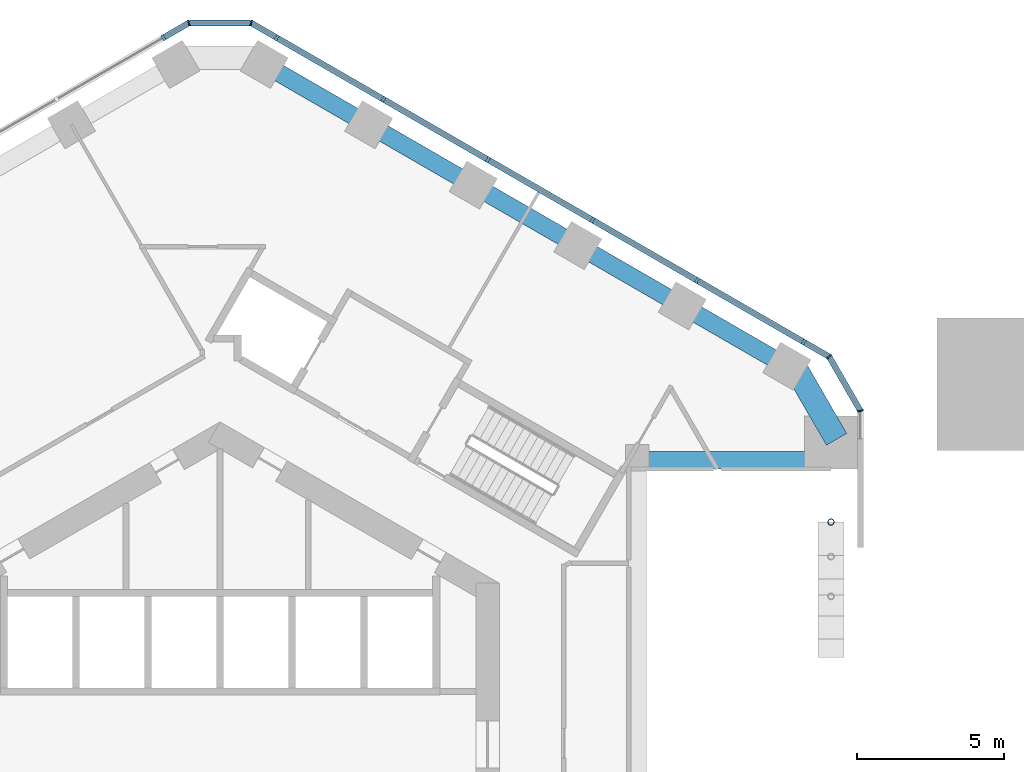
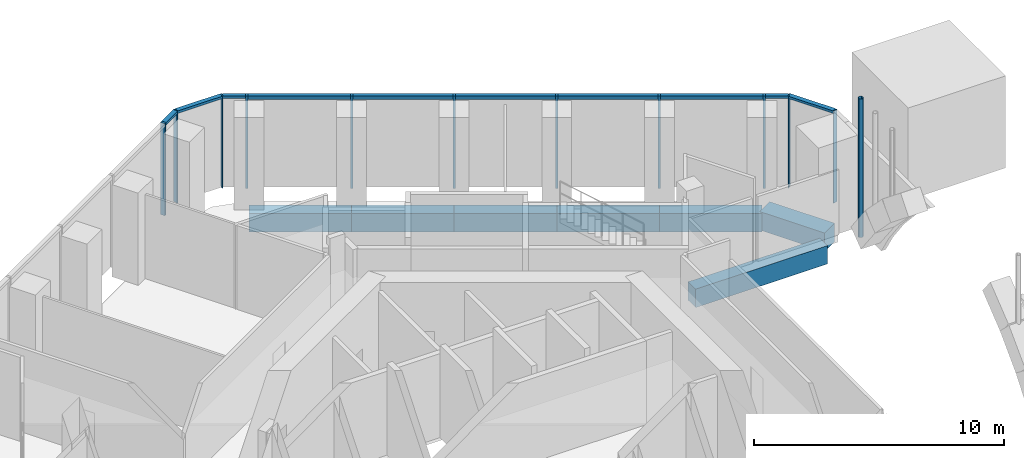
# One storey, part 7 of 14: 18 members, 7 beams, 4 elements without a shape of their own.
"""IFC4 building model written with IfcOpenShell, lengths in metres."""

import ifcopenshell
import ifcopenshell.guid

model = None  # the IFC model being written
_history = None  # IfcOwnerHistory: only IFC2X3 demands one
_inside = {}  # id of a spatial element -> (the spatial element, [elements in it])
_under = {}  # id of a project, library or spatial element -> (it, [spatial elements below it])
_declared = {}  # id of a project -> (the project, [libraries it declares])
_typed = {}  # id of a type object -> (the type object, [elements of that type])
_made_of = {}  # id of a material, layer set ... -> (it, [elements and type objects made of it])


def new_model(schema):
    """Start an empty IFC model of exactly this schema.

    Asked for "IFC4X3", IfcOpenShell would pick the latest addendum, in which some entities
    have other attributes; the version numbers below select the first issue.
    IFC2X3 requires an IfcOwnerHistory on every rooted entity: one is made here for all.
    """
    global model, _history
    if schema == "IFC4X3":
        model = ifcopenshell.file(schema_version=(4, 3, 0, 0))
    else:
        model = ifcopenshell.file(schema=schema)
    _inside.clear()
    _under.clear()
    _declared.clear()
    _typed.clear()
    _made_of.clear()
    _history = None
    if model.schema == "IFC2X3":
        org = make("IfcOrganization", Name="unknown")
        user = make(
            "IfcPersonAndOrganization",
            ThePerson=make("IfcPerson", FamilyName="unknown"),
            TheOrganization=org,
        )
        app = make(
            "IfcApplication",
            ApplicationDeveloper=org,
            Version="unknown",
            ApplicationFullName="unknown",
            ApplicationIdentifier="unknown",
        )
        _history = make(
            "IfcOwnerHistory",
            OwningUser=user,
            OwningApplication=app,
            ChangeAction="ADDED",
            CreationDate=0,
        )
    return model


def make(cls, **values):
    """One entity of the class cls with the attributes given. An attribute that is None is left unset."""
    return model.create_entity(
        cls, **{name: value for name, value in values.items() if value is not None}
    )


def rooted(cls, **values):
    """An entity with a GlobalId (a new one), such as an element, a storey or a relation."""
    return make(cls, GlobalId=ifcopenshell.guid.new(), OwnerHistory=_history, **values)


def si_unit(unit_type, name, prefix=None):
    """IfcSIUnit, for example si_unit("LENGTHUNIT", "METRE", prefix="MILLI")."""
    return make("IfcSIUnit", UnitType=unit_type, Prefix=prefix, Name=name)


def assignment(units):
    """IfcUnitAssignment: the units of a project."""
    return None if units is None else make("IfcUnitAssignment", Units=units)


def point(xyz):
    """IfcCartesianPoint."""
    return None if xyz is None else make("IfcCartesianPoint", Coordinates=xyz)


def direction(xyz):
    """IfcDirection."""
    return None if xyz is None else make("IfcDirection", DirectionRatios=xyz)


def frame(location, z_axis=None, x_axis=None):
    """IfcAxis2Placement3D, a coordinate frame: its origin and axes. An axis left out is left unset."""
    return make(
        "IfcAxis2Placement3D",
        Location=point(location),
        Axis=direction(z_axis),
        RefDirection=direction(x_axis),
    )


def frame_2d(location, x_axis=None):
    """IfcAxis2Placement2D, a coordinate frame in the plane: its origin and x axis."""
    return make(
        "IfcAxis2Placement2D", Location=point(location), RefDirection=direction(x_axis)
    )


def origin():
    """The frame at (0, 0, 0) with its axes left unset."""
    return frame((0.0, 0.0, 0.0))


def origin_2d():
    """The frame at (0, 0) in the plane with its x axis left unset."""
    return frame_2d((0.0, 0.0))


def place(relative_to, where):
    """IfcLocalPlacement: puts the frame where relative to a parent placement (None: the world)."""
    return make(
        "IfcLocalPlacement", PlacementRelTo=relative_to, RelativePlacement=where
    )


def context(
    kind, dimensions, precision=None, world=None, true_north=None, identifier=None
):
    """IfcGeometricRepresentationContext, for example the 3D "Model" context."""
    return make(
        "IfcGeometricRepresentationContext",
        ContextIdentifier=identifier,
        ContextType=kind,
        CoordinateSpaceDimension=dimensions,
        Precision=precision,
        WorldCoordinateSystem=world,
        TrueNorth=true_north,
    )


def subcontext(parent, identifier, kind, view, scale=None):
    """IfcGeometricRepresentationSubContext, for example "Body" below "Model"."""
    return make(
        "IfcGeometricRepresentationSubContext",
        ContextIdentifier=identifier,
        ContextType=kind,
        ParentContext=parent,
        TargetScale=scale,
        TargetView=view,
    )


def project(units=None, contexts=None):
    """IfcProject with its units and contexts."""
    return rooted(
        "IfcProject",
        Name="project",
        RepresentationContexts=contexts,
        UnitsInContext=assignment(units),
    )


def spatial(cls, under=None, at=None, **own):
    """A site, building, storey or space (cls), placed at a placement, below another one or the project."""
    s = rooted(cls, ObjectPlacement=at, **own)
    if under is not None:
        _under.setdefault(under.id(), (under, []))[1].append(s)
    return s


def profile(cls, at=None, kind="AREA", **sizes):
    """A parametric profile (cls). Its sizes go by their IFC names, for example OverallWidth=200.0."""
    return make(cls, ProfileType=kind, Position=at, **sizes)


def rectangle(**sizes):
    """IfcRectangleProfileDef."""
    return profile("IfcRectangleProfileDef", **sizes)


def hollow_circle(**sizes):
    """IfcCircleHollowProfileDef."""
    return profile("IfcCircleHollowProfileDef", **sizes)


def extrude(swept, where, along, depth):
    """IfcExtrudedAreaSolid: the profile swept, set in the frame where, extruded along a direction by depth."""
    return make(
        "IfcExtrudedAreaSolid",
        SweptArea=swept,
        Position=where,
        ExtrudedDirection=direction(along),
        Depth=depth,
    )


def shape(context_of_items, identifier, shape_type, items):
    """IfcShapeRepresentation: the items that make up one representation, for example the "Body"."""
    return make(
        "IfcShapeRepresentation",
        ContextOfItems=context_of_items,
        RepresentationIdentifier=identifier,
        RepresentationType=shape_type,
        Items=items,
    )


def material(Name=None, Category=None):
    """IfcMaterial."""
    return make("IfcMaterial", Name=Name, Category=Category)


def layer(
    of_material, thickness, ventilated=None, Name=None, Category=None, Priority=None
):
    """IfcMaterialLayer: one layer of a wall or slab, of a material (None: an air gap)."""
    return make(
        "IfcMaterialLayer",
        Material=of_material,
        LayerThickness=thickness,
        IsVentilated=ventilated,
        Name=Name,
        Category=Category,
        Priority=Priority,
    )


def layer_set(layers, Name=None):
    """IfcMaterialLayerSet."""
    return make("IfcMaterialLayerSet", MaterialLayers=layers, LayerSetName=Name)


def material_profile(
    of_material, cross_section, Name=None, Category=None, Priority=None
):
    """IfcMaterialProfile: a cross section and its material."""
    return make(
        "IfcMaterialProfile",
        Name=Name,
        Material=of_material,
        Profile=cross_section,
        Priority=Priority,
        Category=Category,
    )


def profile_set(profiles, Name=None, composite=None):
    """IfcMaterialProfileSet."""
    return make(
        "IfcMaterialProfileSet",
        Name=Name,
        MaterialProfiles=profiles,
        CompositeProfile=composite,
    )


def made_of(thing, what):
    """Note that an element or type object is made of a material, layer set ...; save() writes the relation."""
    if what is not None:
        _made_of.setdefault(what.id(), (what, []))[1].append(thing)
    return thing


def type_object(cls, material=None, **own):
    """A type object (cls), such as IfcWallType, which elements share."""
    return made_of(rooted(cls, **own), material)


def element(
    cls,
    number,
    at=None,
    inside=None,
    cuts=None,
    type_object=None,
    material=None,
    context=None,
    identifier="Body",
    shape_type=None,
    held_by="IfcProductDefinitionShape",
    body=None,
    shapes=None,
    **own,
):
    """One element of the class cls, such as IfcWall. Its Tag is "e" and its number.

    at: its placement. inside: the storey or other place that contains it. cuts: it is an
    opening in that element (IfcRelVoidsElement). A single representation is given by context,
    identifier, shape_type and body (its items); several are given by shapes. held_by: the class
    of the entity that holds the representations. save() writes the other relations.
    """
    e = rooted(cls, Tag="e%d" % number, ObjectPlacement=at, **own)
    if body is not None:
        shapes = [shape(context, identifier, shape_type, body)]
    if shapes is not None:
        e.Representation = make(held_by, Representations=shapes)
    if inside is not None:
        _inside.setdefault(inside.id(), (inside, []))[1].append(e)
    if cuts is not None:
        rooted(
            "IfcRelVoidsElement", RelatingBuildingElement=cuts, RelatedOpeningElement=e
        )
    if type_object is not None:
        _typed.setdefault(type_object.id(), (type_object, []))[1].append(e)
    return made_of(e, material)


def aggregate(whole, parts):
    """IfcRelAggregates: a whole, such as a stair, and the parts it consists of."""
    return rooted("IfcRelAggregates", RelatingObject=whole, RelatedObjects=parts)


def save(model, path):
    """Write the relations noted so far, then the file.

    IfcRelAggregates (storeys below a building ...), IfcRelContainedInSpatialStructure (elements
    in a storey), IfcRelDefinesByType, IfcRelAssociatesMaterial and IfcRelDeclares: one each for
    every whole, place, type object, material and project.
    """
    for whole, parts in _under.values():
        aggregate(whole, parts)
    for where, things in _inside.values():
        rooted(
            "IfcRelContainedInSpatialStructure",
            RelatedElements=things,
            RelatingStructure=where,
        )
    for kind, things in _typed.values():
        rooted("IfcRelDefinesByType", RelatedObjects=things, RelatingType=kind)
    for what, things in _made_of.values():
        rooted("IfcRelAssociatesMaterial", RelatedObjects=things, RelatingMaterial=what)
    for by, libraries in _declared.values():
        rooted("IfcRelDeclares", RelatingContext=by, RelatedDefinitions=libraries)
    model.write(path)


model = new_model("IFC4")

# Units and contexts
model_context = context("Model", 3, precision=1e-05, world=origin(), true_north=direction((0.0, 1.0)))
body_context = subcontext(model_context, "Body", "Model", "MODEL_VIEW")
ifc_project = project(units=[si_unit("LENGTHUNIT", "METRE"), si_unit("AREAUNIT", "SQUARE_METRE"), si_unit("VOLUMEUNIT", "CUBIC_METRE"), si_unit("PLANEANGLEUNIT", "RADIAN"), si_unit("MASSUNIT", "GRAM", prefix="KILO")], contexts=[model_context])

# Site, building, storey
site_placement = place(None, origin())
site = spatial("IfcSite", under=ifc_project, at=site_placement, CompositionType="ELEMENT")
building_placement = place(site_placement, origin())
building = spatial("IfcBuilding", under=site, at=building_placement, Name="Ayvan Gate Tower", CompositionType="ELEMENT")
storey_placement = place(building_placement, frame((0.0, 0.0, 11.5)))
storey = spatial("IfcBuildingStorey", under=building, at=storey_placement, Name="L02", CompositionType="ELEMENT", Elevation=11.5)

# Member
ifc_material_1 = material(Name="Steel S460NH", Category="steel")
ifc_material_profile_1 = material_profile(ifc_material_1, hollow_circle(Radius=0.109619140625, WallThickness=0.012451171875, at=origin_2d()), Name="CHS 219.1x12.5")
ifc_profile_set_1 = profile_set([ifc_material_profile_1], Name="Steel S460NH")
member_type_1 = type_object("IfcMemberType", Name="Arch rib hanger CHS 219.1x12.5", PredefinedType="STRUT", material=ifc_profile_set_1)
member_1_placement = place(storey_placement, frame((20.78466796875, 7.564208984375, 0.98095703125), z_axis=(0.0, 0.0, 1.0), x_axis=(1.0, 0.0, 0.0)))
element("IfcMember", 1, at=member_1_placement, inside=storey, type_object=member_type_1, Name="ARH-0-15", PredefinedType="STRUT", context=body_context, shape_type="SweptSolid", body=[
    extrude(hollow_circle(Radius=0.109619140625, WallThickness=0.012451171875, at=origin_2d()), origin(), (0.0, 0.0, 1.0), 6.76904296875),
])

# Beams
ifc_material_2 = material(Name="Concrete C40/50", Category="concrete")
ifc_material_profile_2 = material_profile(ifc_material_2, rectangle(XDim=0.800048828125, YDim=0.89990234375, at=origin_2d()), Name="RC 800x900")
ifc_profile_set_2 = profile_set([ifc_material_profile_2], Name="Concrete C40/50")
beam_type_1 = type_object("IfcBeamType", Name="Corner spandrel beam RC 800x900 C40/50", PredefinedType="BEAM", material=ifc_profile_set_2)
beam_1_placement = place(storey_placement, frame((20.97509765625, 10.3779296875, -0.85009765625), z_axis=(-0.499990139034, 0.866031096941, 0.0), x_axis=(-0.866031096941, -0.499990139034, 0.0)))
element("IfcBeam", 2, at=beam_1_placement, inside=storey, type_object=beam_type_1, Name="SB-L02-6", PredefinedType="BEAM", context=body_context, shape_type="SweptSolid", body=[
    extrude(rectangle(XDim=0.800048828125, YDim=0.89990234375, at=origin_2d()), origin(), (0.0, 0.0, 1.0), 3.0),
])
ifc_material_profile_3 = material_profile(ifc_material_2, rectangle(XDim=0.60009765625, YDim=0.89990234375, at=origin_2d()), Name="RC 600x900")
ifc_profile_set_3 = profile_set([ifc_material_profile_3], Name="Concrete C40/50")
beam_type_2 = type_object("IfcBeamType", Name="Opening edge beam RC 600x900 C40/50", PredefinedType="BEAM", material=ifc_profile_set_3)
beam_2_placement = place(storey_placement, frame((20.28466796875, 9.66796875, -0.85009765625), z_axis=(-1.0, 0.0, 0.0), x_axis=(0.0, -1.0, 0.0)))
element("IfcBeam", 3, at=beam_2_placement, inside=storey, type_object=beam_type_2, Name="OB-L02-0-B", PredefinedType="BEAM", context=body_context, shape_type="SweptSolid", body=[
    extrude(rectangle(XDim=0.60009765625, YDim=0.89990234375, at=origin_2d()), origin(), (0.0, 0.0, 1.0), 6.084716796875),
])
ifc_material_profile_4 = material_profile(ifc_material_2, rectangle(XDim=0.60009765625, YDim=0.89990234375, at=origin_2d()), Name="RC 600x900")
ifc_profile_set_4 = profile_set([ifc_material_profile_4], Name="Concrete C40/50")
beam_type_3 = type_object("IfcBeamType", Name="Spandrel beam RC 600x900 C40/50", PredefinedType="BEAM", material=ifc_profile_set_4)
for number, where, z_axis, x_axis, name in (
    (4, (19.28466796875, 12.865966796875, -0.85009765625), (-0.866010373586, 0.500026032164, 0.0), (-0.500026032164, -0.866010373586, 0.0), "SB-L02-7"),
    (5, (15.727783203125, 14.919677734375, -0.85009765625), (-0.866050971923, 0.499955712069, 0.0), (-0.499955712069, -0.866050971923, 0.0), "SB-L02-8"),
    (6, (12.170654296875, 16.97314453125, -0.85009765625), (-0.866010373586, 0.500026032164, 0.0), (-0.500026032164, -0.866010373586, 0.0), "SB-L02-9"),
    (7, (8.61376953125, 19.02685546875, -0.85009765625), (-0.866036113234, 0.499981450231, 0.0), (-0.499981450231, -0.866036113234, 0.0), "SB-L02-10"),
    (8, (5.056884765625, 21.080322265625, -0.85009765625), (-0.866010373586, 0.500026032164, 0.0), (-0.500026032164, -0.866010373586, 0.0), "SB-L02-11"),
):
    element("IfcBeam", number, at=place(storey_placement, frame(where, z_axis=z_axis, x_axis=x_axis)), inside=storey, type_object=beam_type_3, Name=name, PredefinedType="BEAM", context=body_context, shape_type="SweptSolid", body=[
        extrude(rectangle(XDim=0.60009765625, YDim=0.89990234375, at=origin_2d()), origin(), (0.0, 0.0, 1.0), 4.107177734375),
    ])

# Curtain wall, member
ifc_material_3 = material(Name="Bronze anodised aluminium", Category="aluminium")
ifc_layer_1 = layer(ifc_material_3, 0.199951171875)
ifc_layer_set_1 = layer_set([ifc_layer_1], Name="Bronze anodised aluminium")
curtain_wall_type_1 = type_object("IfcCurtainWallType", Name="Stick curtain wall CW-3", PredefinedType="NOTDEFINED", material=ifc_layer_set_1)
curtain_wall_1_placement = place(storey_placement, origin())
curtain_wall_1 = element("IfcCurtainWall", 9, at=curtain_wall_1_placement, inside=storey, type_object=curtain_wall_type_1, Name="Stick curtain wall CW-3 L02", PredefinedType="NOTDEFINED")
ifc_material_profile_5 = material_profile(ifc_material_3, rectangle(XDim=0.199951171875, YDim=0.10009765625, at=origin_2d()), Name="Stick curtain wall CW-3 mullion 200 x 100")
ifc_profile_set_5 = profile_set([ifc_material_profile_5], Name="Bronze anodised aluminium")
member_type_2 = type_object("IfcMemberType", Name="Stick curtain wall CW-3 mullion 200 x 100", PredefinedType="MULLION", material=ifc_profile_set_5)
member_2_placement = place(storey_placement, frame((-1.92919921875, 24.040771484375, 0.0), z_axis=(0.0, 0.0, 1.0), x_axis=(-0.5, 0.866025403784, 0.0)))
member_2 = element("IfcMember", 10, at=member_2_placement, type_object=member_type_2, Name="CW-3 mullion 1", PredefinedType="MULLION", context=body_context, shape_type="SweptSolid", body=[
    extrude(rectangle(XDim=0.199951171875, YDim=0.10009765625, at=origin_2d()), origin(), (0.0, 0.0, 1.0), 4.5),
])
aggregate(curtain_wall_1, [member_2])

# Curtain wall, members
curtain_wall_2_placement = place(storey_placement, origin())
curtain_wall_2 = element("IfcCurtainWall", 11, at=curtain_wall_2_placement, inside=storey, type_object=curtain_wall_type_1, Name="Stick curtain wall CW-3 L02", PredefinedType="NOTDEFINED")
member_3_placement = place(storey_placement, frame((19.855224609375, 13.691162109375, 0.0), z_axis=(0.0, 0.0, 1.0), x_axis=(0.5, 0.866025403784, 0.0)))
member_3 = element("IfcMember", 12, at=member_3_placement, type_object=member_type_2, Name="CW-3 mullion 1", PredefinedType="MULLION", context=body_context, shape_type="SweptSolid", body=[
    extrude(rectangle(XDim=0.199951171875, YDim=0.10009765625, at=origin_2d()), origin(), (0.0, 0.0, 1.0), 4.5),
])
member_4_placement = place(storey_placement, frame((16.2275390625, 15.78564453125, 0.0), z_axis=(0.0, 0.0, 1.0), x_axis=(0.5, 0.866025403784, 0.0)))
member_4 = element("IfcMember", 13, at=member_4_placement, type_object=member_type_2, Name="CW-3 mullion 2", PredefinedType="MULLION", context=body_context, shape_type="SweptSolid", body=[
    extrude(rectangle(XDim=0.199951171875, YDim=0.10009765625, at=origin_2d()), origin(), (0.0, 0.0, 1.0), 4.5),
])
member_5_placement = place(storey_placement, frame((12.670654296875, 17.839111328125, 0.0), z_axis=(0.0, 0.0, 1.0), x_axis=(0.5, 0.866025403784, 0.0)))
member_5 = element("IfcMember", 14, at=member_5_placement, type_object=member_type_2, Name="CW-3 mullion 3", PredefinedType="MULLION", context=body_context, shape_type="SweptSolid", body=[
    extrude(rectangle(XDim=0.199951171875, YDim=0.10009765625, at=origin_2d()), origin(), (0.0, 0.0, 1.0), 4.5),
])
member_6_placement = place(storey_placement, frame((9.114013671875, 19.892822265625, 0.0), z_axis=(0.0, 0.0, 1.0), x_axis=(0.5, 0.866025403784, 0.0)))
member_6 = element("IfcMember", 15, at=member_6_placement, type_object=member_type_2, Name="CW-3 mullion 4", PredefinedType="MULLION", context=body_context, shape_type="SweptSolid", body=[
    extrude(rectangle(XDim=0.199951171875, YDim=0.10009765625, at=origin_2d()), origin(), (0.0, 0.0, 1.0), 4.5),
])
member_7_placement = place(storey_placement, frame((5.55712890625, 21.9462890625, 0.0), z_axis=(0.0, 0.0, 1.0), x_axis=(0.5, 0.866025403784, 0.0)))
member_7 = element("IfcMember", 16, at=member_7_placement, type_object=member_type_2, Name="CW-3 mullion 5", PredefinedType="MULLION", context=body_context, shape_type="SweptSolid", body=[
    extrude(rectangle(XDim=0.199951171875, YDim=0.10009765625, at=origin_2d()), origin(), (0.0, 0.0, 1.0), 4.5),
])
member_8_placement = place(storey_placement, frame((1.92919921875, 24.040771484375, 0.0), z_axis=(0.0, 0.0, 1.0), x_axis=(0.5, 0.866025403784, 0.0)))
member_8 = element("IfcMember", 17, at=member_8_placement, type_object=member_type_2, Name="CW-3 mullion 6", PredefinedType="MULLION", context=body_context, shape_type="SweptSolid", body=[
    extrude(rectangle(XDim=0.199951171875, YDim=0.10009765625, at=origin_2d()), origin(), (0.0, 0.0, 1.0), 4.5),
])
ifc_material_profile_6 = material_profile(ifc_material_3, rectangle(XDim=0.199951171875, YDim=0.159912109375, at=origin_2d()), Name="Stick curtain wall CW-3 transom 200 x 160")
ifc_profile_set_6 = profile_set([ifc_material_profile_6], Name="Bronze anodised aluminium")
member_type_3 = type_object("IfcMemberType", Name="Stick curtain wall CW-3 transom 200 x 160", PredefinedType="USERDEFINED", material=ifc_profile_set_6)
member_9_placement = place(storey_placement, frame((19.855224609375, 13.691162109375, 4.419921875), z_axis=(-0.866025115303, 0.500000499665, 0.0), x_axis=(-0.500000499665, -0.866025115303, 0.0)))
member_9 = element("IfcMember", 18, at=member_9_placement, type_object=member_type_3, Name="CW-3 transom 1", ObjectType="TRANSOM", PredefinedType="USERDEFINED", context=body_context, shape_type="SweptSolid", body=[
    extrude(rectangle(XDim=0.199951171875, YDim=0.159912109375, at=origin_2d()), origin(), (0.0, 0.0, 1.0), 20.69921875),
])
aggregate(curtain_wall_2, [member_3, member_4, member_5, member_6, member_7, member_8, member_9])

ifc_layer_2 = layer(ifc_material_3, 0.199951171875)
ifc_layer_set_2 = layer_set([ifc_layer_2], Name="Bronze anodised aluminium")
curtain_wall_type_2 = type_object("IfcCurtainWallType", Name="Stick curtain wall CW-6", PredefinedType="NOTDEFINED", material=ifc_layer_set_2)
curtain_wall_3_placement = place(storey_placement, origin())
curtain_wall_3 = element("IfcCurtainWall", 19, at=curtain_wall_3_placement, inside=storey, type_object=curtain_wall_type_2, Name="Stick curtain wall CW-6 L02", PredefinedType="NOTDEFINED")
ifc_material_profile_7 = material_profile(ifc_material_3, rectangle(XDim=0.199951171875, YDim=0.050048828125, at=origin_2d()), Name="Stick curtain wall CW-6 mullion 200 x 50")
ifc_profile_set_7 = profile_set([ifc_material_profile_7], Name="Bronze anodised aluminium")
member_type_4 = type_object("IfcMemberType", Name="Stick curtain wall CW-6 mullion 200 x 50", PredefinedType="MULLION", material=ifc_profile_set_7)
member_10_placement = place(storey_placement, frame((21.78466796875, 11.349609375, 0.0), z_axis=(0.0, 0.0, 1.0), x_axis=(0.965925826289, 0.258819045103, 0.0)))
member_10 = element("IfcMember", 20, at=member_10_placement, type_object=member_type_4, Name="CW-6 mullion 2", PredefinedType="MULLION", context=body_context, shape_type="SweptSolid", body=[
    extrude(rectangle(XDim=0.199951171875, YDim=0.050048828125, at=origin_2d()), origin(), (0.0, 0.0, 1.0), 4.5),
])
member_11_placement = place(storey_placement, frame((20.721435546875, 13.191162109375, 0.0), z_axis=(0.0, 0.0, 1.0), x_axis=(0.707106781187, 0.707106781187, 0.0)))
member_11 = element("IfcMember", 21, at=member_11_placement, type_object=member_type_4, Name="CW-6 mullion 3", PredefinedType="MULLION", context=body_context, shape_type="SweptSolid", body=[
    extrude(rectangle(XDim=0.199951171875, YDim=0.050048828125, at=origin_2d()), origin(), (0.0, 0.0, 1.0), 4.5),
])

curtain_wall_4_placement = place(storey_placement, origin())
curtain_wall_4 = element("IfcCurtainWall", 22, at=curtain_wall_4_placement, inside=storey, type_object=curtain_wall_type_2, Name="Stick curtain wall CW-6 L02", PredefinedType="NOTDEFINED")
member_12_placement = place(storey_placement, frame((1.063232421875, 24.540771484375, 0.0), z_axis=(0.0, 0.0, 1.0), x_axis=(0.258819045103, 0.965925826289, 0.0)))
member_12 = element("IfcMember", 23, at=member_12_placement, type_object=member_type_4, Name="CW-6 mullion 2", PredefinedType="MULLION", context=body_context, shape_type="SweptSolid", body=[
    extrude(rectangle(XDim=0.199951171875, YDim=0.050048828125, at=origin_2d()), origin(), (0.0, 0.0, 1.0), 4.5),
])
member_13_placement = place(storey_placement, frame((-1.063232421875, 24.540771484375, 0.0), z_axis=(0.0, 0.0, 1.0), x_axis=(-0.258819045103, 0.965925826289, 0.0)))
member_13 = element("IfcMember", 24, at=member_13_placement, type_object=member_type_4, Name="CW-6 mullion 3", PredefinedType="MULLION", context=body_context, shape_type="SweptSolid", body=[
    extrude(rectangle(XDim=0.199951171875, YDim=0.050048828125, at=origin_2d()), origin(), (0.0, 0.0, 1.0), 4.5),
])

# Member
ifc_material_profile_8 = material_profile(ifc_material_3, rectangle(XDim=0.199951171875, YDim=0.1201171875, at=origin_2d()), Name="Stick curtain wall CW-6 transom 200 x 120")
ifc_profile_set_8 = profile_set([ifc_material_profile_8], Name="Bronze anodised aluminium")
member_type_5 = type_object("IfcMemberType", Name="Stick curtain wall CW-6 transom 200 x 120", PredefinedType="USERDEFINED", material=ifc_profile_set_8)
member_14_placement = place(storey_placement, frame((21.772216796875, 11.371337890625, 4.43994140625), z_axis=(-0.500020978615, 0.866013291437, 0.0), x_axis=(-0.866013291437, -0.500020978615, 0.0)))
member_14 = element("IfcMember", 25, at=member_14_placement, type_object=member_type_5, Name="CW-6 transom 2", ObjectType="TRANSOM", PredefinedType="USERDEFINED", context=body_context, shape_type="SweptSolid", body=[
    extrude(rectangle(XDim=0.199951171875, YDim=0.1201171875, at=origin_2d()), origin(), (0.0, 0.0, 1.0), 2.07666015625),
])

member_15_placement = place(storey_placement, frame((20.69970703125, 13.20361328125, 4.43994140625), z_axis=(-0.865943820382, 0.500141279983, 0.0), x_axis=(-0.500141279983, -0.865943820382, 0.0)))
member_15 = element("IfcMember", 26, at=member_15_placement, type_object=member_type_5, Name="CW-6 transom 3", ObjectType="TRANSOM", PredefinedType="USERDEFINED", context=body_context, shape_type="SweptSolid", body=[
    extrude(rectangle(XDim=0.199951171875, YDim=0.1201171875, at=origin_2d()), origin(), (0.0, 0.0, 1.0), 0.925048828125),
])

aggregate(curtain_wall_3, [member_10, member_11, member_14, member_15])

member_16_placement = place(storey_placement, frame((1.885986328125, 24.06591796875, 4.43994140625), z_axis=(-0.866058118026, 0.49994333299, 0.0), x_axis=(-0.49994333299, -0.866058118026, 0.0)))
member_16 = element("IfcMember", 27, at=member_16_placement, type_object=member_type_5, Name="CW-6 transom 1", ObjectType="TRANSOM", PredefinedType="USERDEFINED", context=body_context, shape_type="SweptSolid", body=[
    extrude(rectangle(XDim=0.199951171875, YDim=0.1201171875, at=origin_2d()), origin(), (0.0, 0.0, 1.0), 0.9248046875),
])

member_17_placement = place(storey_placement, frame((1.038330078125, 24.540771484375, 4.43994140625), z_axis=(-1.0, 0.0, 0.0), x_axis=(0.0, -1.0, 0.0)))
member_17 = element("IfcMember", 28, at=member_17_placement, type_object=member_type_5, Name="CW-6 transom 2", ObjectType="TRANSOM", PredefinedType="USERDEFINED", context=body_context, shape_type="SweptSolid", body=[
    extrude(rectangle(XDim=0.199951171875, YDim=0.1201171875, at=origin_2d()), origin(), (0.0, 0.0, 1.0), 2.07666015625),
])

member_18_placement = place(storey_placement, frame((-1.0849609375, 24.5283203125, 4.43994140625), z_axis=(-0.866058118026, -0.49994333299, 0.0), x_axis=(0.49994333299, -0.866058118026, 0.0)))
member_18 = element("IfcMember", 29, at=member_18_placement, type_object=member_type_5, Name="CW-6 transom 3", ObjectType="TRANSOM", PredefinedType="USERDEFINED", context=body_context, shape_type="SweptSolid", body=[
    extrude(rectangle(XDim=0.199951171875, YDim=0.1201171875, at=origin_2d()), origin(), (0.0, 0.0, 1.0), 0.9248046875),
])

aggregate(curtain_wall_4, [member_12, member_13, member_16, member_17, member_18])

save(model, "model.ifc")
